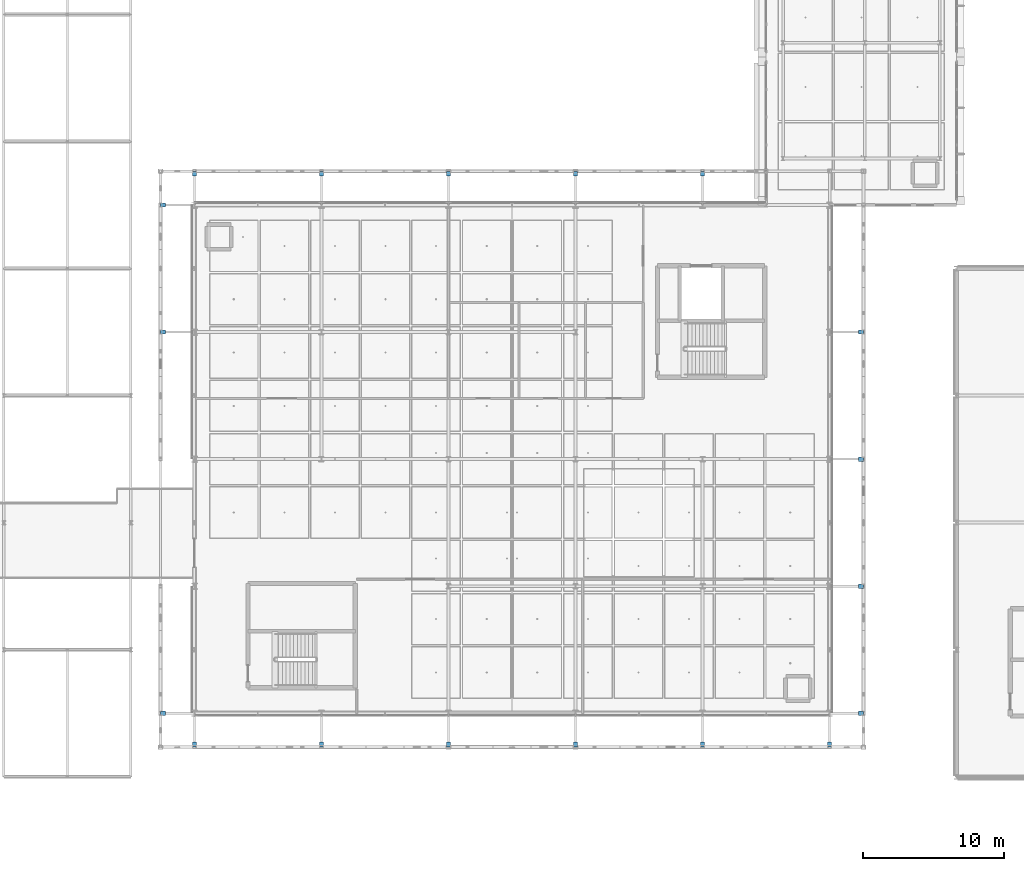
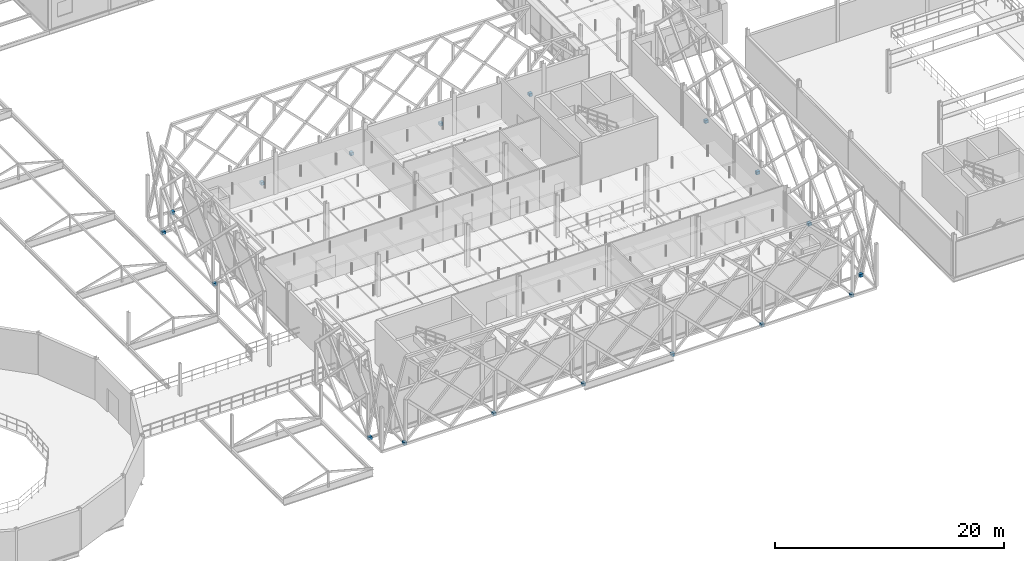
# One storey, part 127 of 140: 18 discrete accessories.
"""IFC4 building model written with IfcOpenShell, lengths in metres."""

from ifc_helpers import new_model, si_unit, direction, frame, origin, origin_2d, place, context, subcontext, project, spatial, rectangle, extrude, material, type_object, element, save


model = new_model("IFC4")

# Units and contexts
model_context = context("Model", 3, precision=1e-05, world=origin(), true_north=direction((0.0, 1.0)))
body_context = subcontext(model_context, "Body", "Model", "MODEL_VIEW")
ifc_project = project(units=[si_unit("LENGTHUNIT", "METRE"), si_unit("AREAUNIT", "SQUARE_METRE"), si_unit("VOLUMEUNIT", "CUBIC_METRE"), si_unit("PLANEANGLEUNIT", "RADIAN"), si_unit("MASSUNIT", "GRAM", prefix="KILO"), si_unit("THERMODYNAMICTEMPERATUREUNIT", "KELVIN"), si_unit("POWERUNIT", "WATT")], contexts=[model_context])

# Site, building, storey
site_placement = place(None, origin())
site = spatial("IfcSite", under=ifc_project, at=site_placement, CompositionType="ELEMENT")
building_placement = place(site_placement, origin())
building = spatial("IfcBuilding", under=site, at=building_placement, Name="Tallowbark Science Centre", CompositionType="ELEMENT")
storey_placement = place(building_placement, frame((0.0, 0.0, 9.89990234375)))
storey = spatial("IfcBuildingStorey", under=building, at=storey_placement, Name="L02", CompositionType="ELEMENT", Elevation=9.89990234375)

# Discrete accessories
ifc_material = material(Name="White Architectural Painted Steel Grade C350L0 (350 MPa)", Category="steel")
discrete_accessory_type = type_object("IfcDiscreteAccessoryType", Name="ACC-BRK-OUT", PredefinedType="BRACKET", material=ifc_material)
for number, where, z_axis, x_axis, name in (
    (1, (58.5, 2.280029296875, -0.41015625), (0.0, 0.0, 1.0), (1.0, 0.0, 0.0), "Outrigger Gusset Bracket S-19"),
    (2, (58.5, 42.719970703125, -0.41015625), (0.0, 0.0, 1.0), (1.0, 0.0, 0.0), "Outrigger Gusset Bracket N-20"),
    (3, (67.5, 2.280029296875, -0.41015625), (0.0, 0.0, 1.0), (1.0, 0.0, 0.0), "Outrigger Gusset Bracket S-21"),
    (4, (67.5, 42.719970703125, -0.41015625), (0.0, 0.0, 1.0), (1.0, 0.0, 0.0), "Outrigger Gusset Bracket N-22"),
    (5, (76.5, 2.280029296875, -0.41015625), (0.0, 0.0, 1.0), (1.0, 0.0, 0.0), "Outrigger Gusset Bracket S-23"),
    (6, (76.5, 42.719970703125, -0.41015625), (0.0, 0.0, 1.0), (1.0, 0.0, 0.0), "Outrigger Gusset Bracket N-24"),
    (7, (85.5, 2.280029296875, -0.41015625), (0.0, 0.0, 1.0), (1.0, 0.0, 0.0), "Outrigger Gusset Bracket S-25"),
    (8, (85.5, 42.719970703125, -0.41015625), (0.0, 0.0, 1.0), (1.0, 0.0, 0.0), "Outrigger Gusset Bracket N-26"),
    (9, (94.5, 2.280029296875, -0.41015625), (0.0, 0.0, 1.0), (1.0, 0.0, 0.0), "Outrigger Gusset Bracket S-27"),
    (10, (94.5, 42.719970703125, -0.41015625), (0.0, 0.0, 1.0), (1.0, 0.0, 0.0), "Outrigger Gusset Bracket N-28"),
    (11, (103.5, 2.280029296875, -0.41015625), (0.0, 0.0, 1.0), (1.0, 0.0, 0.0), "Outrigger Gusset Bracket S-29"),
):
    element("IfcDiscreteAccessory", number, at=place(storey_placement, frame(where, z_axis=z_axis, x_axis=x_axis)), inside=storey, type_object=discrete_accessory_type, Name=name, PredefinedType="BRACKET", context=body_context, shape_type="SweptSolid", body=[
        extrude(rectangle(XDim=0.300048828125, YDim=0.35009765625, at=origin_2d()), origin(), (0.0, 0.0, 1.0), 0.320068359375),
    ])
for number, where, z_axis, x_axis, name in (
    (12, (56.280029296875, 4.5, -0.41015625), (0.0, 0.0, 1.0), (1.0, 0.0, 0.0), "Outrigger Gusset Bracket W-30"),
    (13, (105.719970703125, 4.5, -0.41015625), (0.0, 0.0, 1.0), (1.0, 0.0, 0.0), "Outrigger Gusset Bracket E-31"),
    (14, (105.719970703125, 13.5, -0.41015625), (0.0, 0.0, 1.0), (1.0, 0.0, 0.0), "Outrigger Gusset Bracket E-32"),
    (15, (105.719970703125, 22.5, -0.41015625), (0.0, 0.0, 1.0), (1.0, 0.0, 0.0), "Outrigger Gusset Bracket E-33"),
    (16, (56.280029296875, 31.5, -0.41015625), (0.0, 0.0, 1.0), (1.0, 0.0, 0.0), "Outrigger Gusset Bracket W-34"),
    (17, (105.719970703125, 31.5, -0.41015625), (0.0, 0.0, 1.0), (1.0, 0.0, 0.0), "Outrigger Gusset Bracket E-35"),
    (18, (56.280029296875, 40.5, -0.41015625), (0.0, 0.0, 1.0), (1.0, 0.0, 0.0), "Outrigger Gusset Bracket W-36"),
):
    element("IfcDiscreteAccessory", number, at=place(storey_placement, frame(where, z_axis=z_axis, x_axis=x_axis)), inside=storey, type_object=discrete_accessory_type, Name=name, PredefinedType="BRACKET", context=body_context, shape_type="SweptSolid", body=[
        extrude(rectangle(XDim=0.35009765625, YDim=0.300048828125, at=origin_2d()), origin(), (0.0, 0.0, 1.0), 0.320068359375),
    ])

save(model, "model.ifc")
